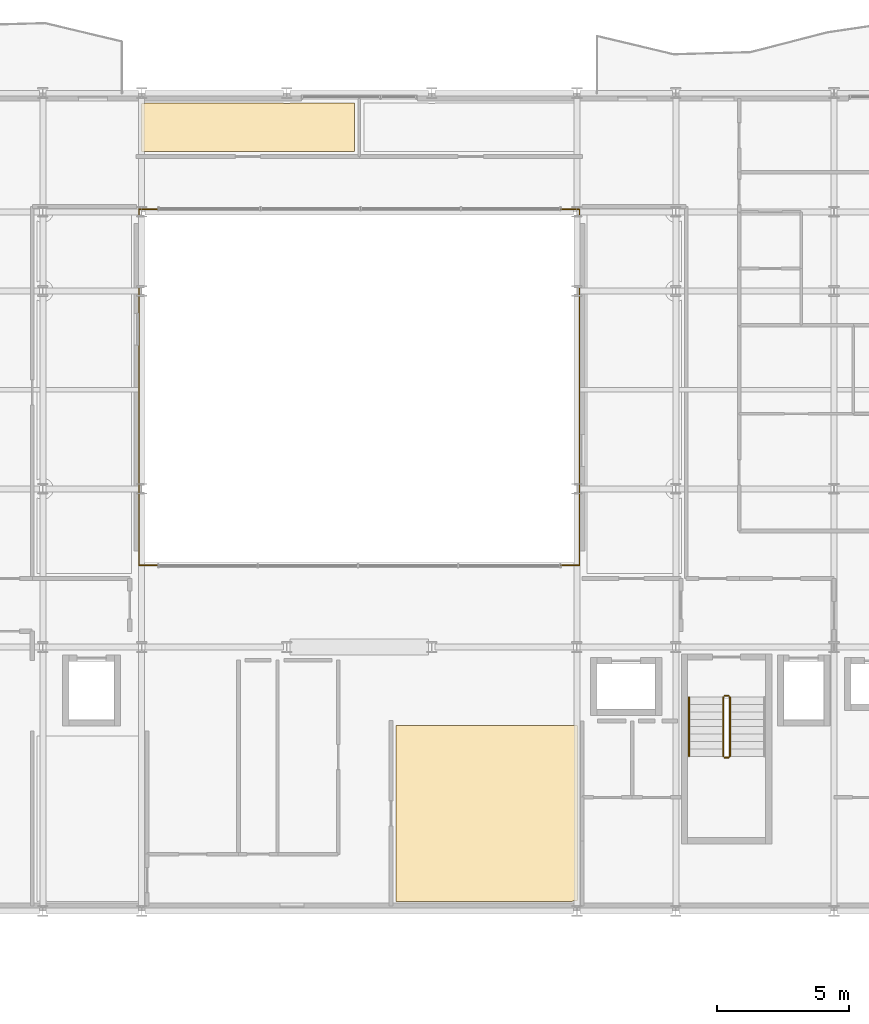
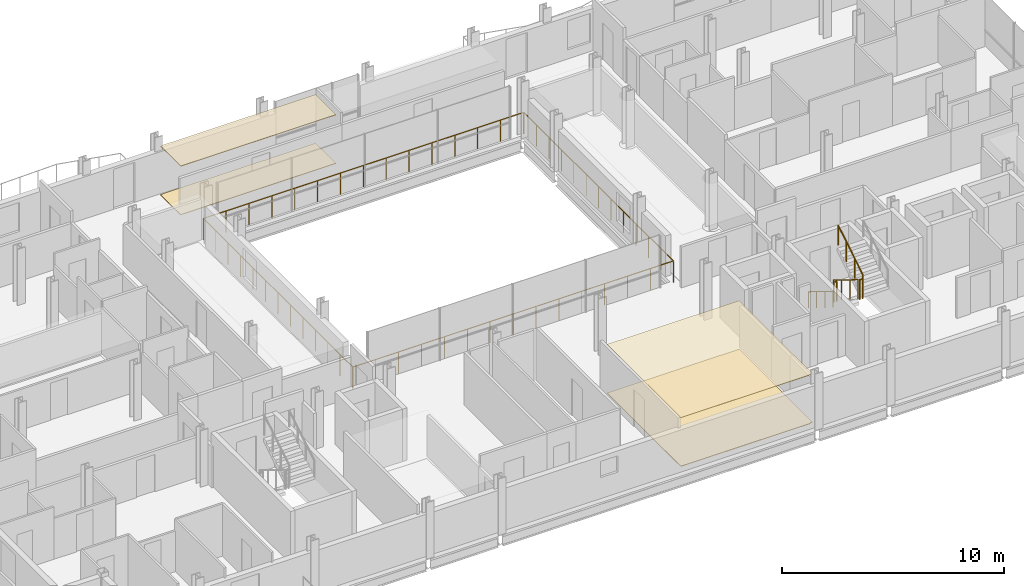
# One storey, part 40 of 41: 7 railings, 4 coverings.
"""IFC4 building model written with IfcOpenShell, lengths in metres."""

from ifc_helpers import new_model, si_unit, direction, frame, origin, origin_2d, place, context, subcontext, project, spatial, polyline, circle, outline, extrude, material, layer, layer_set, type_object, element, save


model = new_model("IFC4")

# Units and contexts
model_context = context("Model", 3, precision=1e-05, world=origin(), true_north=direction((0.0, 1.0)))
body_context = subcontext(model_context, "Body", "Model", "MODEL_VIEW")
ifc_project = project(units=[si_unit("LENGTHUNIT", "METRE"), si_unit("AREAUNIT", "SQUARE_METRE"), si_unit("VOLUMEUNIT", "CUBIC_METRE"), si_unit("PLANEANGLEUNIT", "RADIAN"), si_unit("MASSUNIT", "GRAM", prefix="KILO")], contexts=[model_context])

# Site, building, storey
site_placement = place(None, origin())
site = spatial("IfcSite", under=ifc_project, at=site_placement, CompositionType="ELEMENT")
building_placement = place(site_placement, origin())
building = spatial("IfcBuilding", under=site, at=building_placement, Name="Brevholm Reach", CompositionType="ELEMENT")
storey_placement = place(building_placement, frame((0.0, 0.0, 157.300048828125)))
storey = spatial("IfcBuildingStorey", under=building, at=storey_placement, Name="L47", CompositionType="ELEMENT", Elevation=157.300048828125)

# Coverings
ifc_material_1 = material(Name="Moisture-Resistant Skimmed Gypsum Plasterboard Ceiling", Category="gypsum")
ifc_layer_1 = layer(ifc_material_1, 0.030029296875)
ifc_layer_set_1 = layer_set([ifc_layer_1], Name="Moisture-Resistant Skimmed Gypsum Plasterboard Ceiling")
covering_type_1 = type_object("IfcCoveringType", Name="COV-CLG-GYP", PredefinedType="CEILING", material=ifc_layer_set_1)
covering_1_placement = place(storey_placement, frame((0.0, 0.0, 2.679931640625)))
element("IfcCovering", 1, at=covering_1_placement, inside=storey, type_object=covering_type_1, Name="L47 Suspended Ceiling L47-13", PredefinedType="CEILING", context=body_context, shape_type="SweptSolid", body=[
    extrude(outline(polyline([(38.27001953125, 7.02001953125), (38.27001953125, 0.39892578125), (38.25, 0.39990234375), (38.210693359375, 0.398193359375), (38.172119140625, 0.392333984375), (38.1337890625, 0.3828125), (38.096923828125, 0.36962890625), (38.07666015625, 0.360107421875), (31.384033203125, 0.360107421875), (31.384033203125, 7.02001953125), (38.27001953125, 7.02001953125)])), origin(), (0.0, 0.0, 1.0), 0.030029296875),
])
covering_2_placement = place(storey_placement, frame((0.0, 0.0, 2.679931640625)))
element("IfcCovering", 2, at=covering_2_placement, inside=storey, type_object=covering_type_1, Name="L47 Suspended Ceiling L47-66", PredefinedType="CEILING", context=body_context, shape_type="SweptSolid", body=[
    extrude(outline(polyline([(27.126220703125, 30.6201171875), (27.1337890625, 30.6171875), (27.172119140625, 30.607666015625), (27.210693359375, 30.601806640625), (27.25, 30.60009765625), (27.289306640625, 30.601806640625), (27.327880859375, 30.607666015625), (27.3662109375, 30.6171875), (27.373779296875, 30.6201171875), (29.820068359375, 30.6201171875), (29.820068359375, 28.783935546875), (21.73388671875, 28.783935546875), (21.73388671875, 30.600830078125), (21.75, 30.60009765625), (21.789306640625, 30.601806640625), (21.827880859375, 30.607666015625), (21.8662109375, 30.6171875), (21.873779296875, 30.6201171875), (27.126220703125, 30.6201171875)])), origin(), (0.0, 0.0, 1.0), 0.030029296875),
])
ifc_material_2 = material(Name="Honed Portland-Aggregate Resin Terrazzo Flooring", Category="concrete")
ifc_layer_2 = layer(ifc_material_2, 0.031982421875)
ifc_layer_set_2 = layer_set([ifc_layer_2], Name="Honed Portland-Aggregate Resin Terrazzo Flooring")
covering_type_2 = type_object("IfcCoveringType", Name="COV-FLR-TRZ", PredefinedType="FLOORING", material=ifc_layer_set_2)
covering_3_placement = place(storey_placement, origin())
element("IfcCovering", 3, at=covering_3_placement, inside=storey, type_object=covering_type_2, Name="L47 Floor Finish L47-13", PredefinedType="FLOORING", context=body_context, shape_type="SweptSolid", body=[
    extrude(outline(polyline([(38.27001953125, 7.02001953125), (38.27001953125, 0.39892578125), (38.25, 0.39990234375), (38.210693359375, 0.398193359375), (38.172119140625, 0.392333984375), (38.1337890625, 0.3828125), (38.096923828125, 0.36962890625), (38.07666015625, 0.360107421875), (31.384033203125, 0.360107421875), (31.384033203125, 7.02001953125), (38.27001953125, 7.02001953125)])), origin(), (0.0, 0.0, 1.0), 0.031982421875),
])
covering_4_placement = place(storey_placement, origin())
element("IfcCovering", 4, at=covering_4_placement, inside=storey, type_object=covering_type_2, Name="L47 Floor Finish L47-66", PredefinedType="FLOORING", context=body_context, shape_type="SweptSolid", body=[
    extrude(outline(polyline([(27.126220703125, 30.6201171875), (27.1337890625, 30.6171875), (27.172119140625, 30.607666015625), (27.210693359375, 30.601806640625), (27.25, 30.60009765625), (27.289306640625, 30.601806640625), (27.327880859375, 30.607666015625), (27.3662109375, 30.6171875), (27.373779296875, 30.6201171875), (29.820068359375, 30.6201171875), (29.820068359375, 28.783935546875), (21.73388671875, 28.783935546875), (21.73388671875, 30.600830078125), (21.75, 30.60009765625), (21.789306640625, 30.601806640625), (21.827880859375, 30.607666015625), (21.8662109375, 30.6171875), (21.873779296875, 30.6201171875), (27.126220703125, 30.6201171875)])), origin(), (0.0, 0.0, 1.0), 0.031982421875),
])

# Railings
ifc_material_3 = material(Name="Brushed Stainless Steel EN 1.4401 Continuous Handrail", Category="steel")
railing_type_1 = type_object("IfcRailingType", Name="RAL-HND-950", PredefinedType="HANDRAIL", material=ifc_material_3)
railing_1_placement = place(storey_placement, frame((42.5, 8.10009765625, 0.172119140625)))
element("IfcRailing", 5, at=railing_1_placement, inside=storey, type_object=railing_type_1, Name="L47 ST-2 stair handrail 1", PredefinedType="HANDRAIL", context=body_context, shape_type="SweptSolid", body=[
    extrude(circle(Radius=0.02392578125, at=origin_2d()), frame((0.0, 0.0, 0.8857421875), z_axis=(0.0, -0.851747552033, 0.523952390591), x_axis=(1.0, 0.0, 0.0)), (0.0, 0.0, 1.0), 2.6298828125),
    extrude(circle(Radius=0.02099609375, at=origin_2d()), origin(), (0.0, 0.0, 1.0), 0.86181640625),
    extrude(circle(Radius=0.02099609375, at=origin_2d()), frame((0.0, -0.74658203125, 0.459228515625)), (0.0, 0.0, 1.0), 0.86181640625),
    extrude(circle(Radius=0.02099609375, at=origin_2d()), frame((0.0, -1.493408203125, 0.918701171875)), (0.0, 0.0, 1.0), 0.86181640625),
    extrude(circle(Radius=0.02099609375, at=origin_2d()), frame((0.0, -2.239990234375, 1.3779296875)), (0.0, 0.0, 1.0), 0.86181640625),
])
ifc_material_4 = material(Name="Painted Tubular Galvanised Steel S275JR Stair Guard", Category="steel")
railing_type_2 = type_object("IfcRailingType", Name="RAL-STG-1120", PredefinedType="BALUSTRADE", material=ifc_material_4)
railing_2_placement = place(storey_placement, frame((43.800048828125, 8.10009765625, 0.172119140625)))
element("IfcRailing", 6, at=railing_2_placement, inside=storey, type_object=railing_type_2, Name="L47 ST-2 stair guard 1", PredefinedType="BALUSTRADE", context=body_context, shape_type="SweptSolid", body=[
    extrude(circle(Radius=0.02392578125, at=origin_2d()), frame((0.0, 0.0, 1.076171875), z_axis=(0.0, -0.851747552033, 0.523952390591), x_axis=(1.0, 0.0, 0.0)), (0.0, 0.0, 1.0), 2.6298828125),
    extrude(circle(Radius=0.02099609375, at=origin_2d()), origin(), (0.0, 0.0, 1.0), 1.052001953125),
    extrude(circle(Radius=0.02099609375, at=origin_2d()), frame((0.0, -0.74658203125, 0.459228515625)), (0.0, 0.0, 1.0), 1.052001953125),
    extrude(circle(Radius=0.02099609375, at=origin_2d()), frame((0.0, -1.493408203125, 0.918701171875)), (0.0, 0.0, 1.0), 1.052001953125),
    extrude(circle(Radius=0.02099609375, at=origin_2d()), frame((0.0, -2.239990234375, 1.3779296875)), (0.0, 0.0, 1.0), 1.052001953125),
])
railing_3_placement = place(storey_placement, frame((43.85009765625, 5.81005859375, 1.550048828125)))
element("IfcRailing", 7, at=railing_3_placement, inside=storey, type_object=railing_type_2, Name="L47 ST-2 stair guard 2", PredefinedType="BALUSTRADE", context=body_context, shape_type="SweptSolid", body=[
    extrude(circle(Radius=0.02392578125, at=origin_2d()), frame((0.0, 0.0, 1.076171875), z_axis=(1.0, 0.0, 0.0), x_axis=(0.0, 1.0, 0.0)), (0.0, 0.0, 1.0), 0.14990234375),
    extrude(circle(Radius=0.02099609375, at=origin_2d()), origin(), (0.0, 0.0, 1.0), 1.052001953125),
    extrude(circle(Radius=0.02099609375, at=origin_2d()), frame((0.14990234375, 0.0, 0.0)), (0.0, 0.0, 1.0), 1.052001953125),
])
railing_4_placement = place(storey_placement, frame((44.050048828125, 5.860107421875, 1.72216796875)))
element("IfcRailing", 8, at=railing_4_placement, inside=storey, type_object=railing_type_2, Name="L47 ST-2 stair guard 3", PredefinedType="BALUSTRADE", context=body_context, shape_type="SweptSolid", body=[
    extrude(circle(Radius=0.02392578125, at=origin_2d()), frame((0.0, 0.0, 1.076171875), z_axis=(0.0, 0.85178898068, 0.523885037382), x_axis=(-1.0, 0.0, 0.0)), (0.0, 0.0, 1.0), 2.629638671875),
    extrude(circle(Radius=0.02099609375, at=origin_2d()), origin(), (0.0, 0.0, 1.0), 1.052001953125),
    extrude(circle(Radius=0.02099609375, at=origin_2d()), frame((0.0, 0.74658203125, 0.459228515625)), (0.0, 0.0, 1.0), 1.052001953125),
    extrude(circle(Radius=0.02099609375, at=origin_2d()), frame((0.0, 1.493408203125, 0.91845703125)), (0.0, 0.0, 1.0), 1.052001953125),
    extrude(circle(Radius=0.02099609375, at=origin_2d()), frame((0.0, 2.239990234375, 1.377685546875)), (0.0, 0.0, 1.0), 1.052001953125),
])
railing_5_placement = place(storey_placement, frame((43.85009765625, 8.14990234375, 0.0)))
element("IfcRailing", 9, at=railing_5_placement, inside=storey, type_object=railing_type_2, Name="L47 ST-2 stair guard 4", PredefinedType="BALUSTRADE", context=body_context, shape_type="SweptSolid", body=[
    extrude(circle(Radius=0.02392578125, at=origin_2d()), frame((0.0, 0.0, 1.076171875), z_axis=(1.0, 0.0, 0.0), x_axis=(0.0, 1.0, 0.0)), (0.0, 0.0, 1.0), 0.14990234375),
    extrude(circle(Radius=0.02099609375, at=origin_2d()), origin(), (0.0, 0.0, 1.0), 1.052001953125),
    extrude(circle(Radius=0.02099609375, at=origin_2d()), frame((0.14990234375, 0.0, 0.0)), (0.0, 0.0, 1.0), 1.052001953125),
])
ifc_material_5 = material(Name="Brushed Stainless Steel EN 1.4401 and Laminated Glass", Category="steel")
railing_type_3 = type_object("IfcRailingType", Name="RAL-TERR-1200", PredefinedType="BALUSTRADE", material=ifc_material_5)
railing_6_placement = place(storey_placement, frame((21.64990234375, 13.10009765625, 0.0)))
element("IfcRailing", 10, at=railing_6_placement, inside=storey, type_object=railing_type_3, Name="L47 Guard Balustrade RAL-L47-AT-VOID-SW", PredefinedType="BALUSTRADE", context=body_context, shape_type="SweptSolid", body=[
    extrude(circle(Radius=0.02392578125, at=origin_2d()), frame((0.0, 0.0, 1.17578125), z_axis=(1.0, 0.0, 0.0), x_axis=(0.0, 1.0, 0.0)), (0.0, 0.0, 1.0), 16.7001953125),
    extrude(circle(Radius=0.02392578125, at=origin_2d()), frame((16.7001953125, 0.0, 1.17578125), z_axis=(0.0, 1.0, 0.0), x_axis=(-1.0, 0.0, 0.0)), (0.0, 0.0, 1.0), 13.47998046875),
    extrude(circle(Radius=0.02099609375, at=origin_2d()), origin(), (0.0, 0.0, 1.0), 1.15185546875),
    extrude(circle(Radius=0.02099609375, at=origin_2d()), frame((1.19287109375, 0.0, 0.0)), (0.0, 0.0, 1.0), 1.15185546875),
    extrude(circle(Radius=0.02099609375, at=origin_2d()), frame((2.3857421875, 0.0, 0.0)), (0.0, 0.0, 1.0), 1.15185546875),
    extrude(circle(Radius=0.02099609375, at=origin_2d()), frame((3.57861328125, 0.0, 0.0)), (0.0, 0.0, 1.0), 1.15185546875),
    extrude(circle(Radius=0.02099609375, at=origin_2d()), frame((4.771484375, 0.0, 0.0)), (0.0, 0.0, 1.0), 1.15185546875),
    extrude(circle(Radius=0.02099609375, at=origin_2d()), frame((5.96435546875, 0.0, 0.0)), (0.0, 0.0, 1.0), 1.15185546875),
    extrude(circle(Radius=0.02099609375, at=origin_2d()), frame((7.1572265625, 0.0, 0.0)), (0.0, 0.0, 1.0), 1.15185546875),
    extrude(circle(Radius=0.02099609375, at=origin_2d()), frame((8.35009765625, 0.0, 0.0)), (0.0, 0.0, 1.0), 1.15185546875),
    extrude(circle(Radius=0.02099609375, at=origin_2d()), frame((9.54296875, 0.0, 0.0)), (0.0, 0.0, 1.0), 1.15185546875),
    extrude(circle(Radius=0.02099609375, at=origin_2d()), frame((10.73583984375, 0.0, 0.0)), (0.0, 0.0, 1.0), 1.15185546875),
    extrude(circle(Radius=0.02099609375, at=origin_2d()), frame((11.9287109375, 0.0, 0.0)), (0.0, 0.0, 1.0), 1.15185546875),
    extrude(circle(Radius=0.02099609375, at=origin_2d()), frame((13.12158203125, 0.0, 0.0)), (0.0, 0.0, 1.0), 1.15185546875),
    extrude(circle(Radius=0.02099609375, at=origin_2d()), frame((14.314453125, 0.0, 0.0)), (0.0, 0.0, 1.0), 1.15185546875),
    extrude(circle(Radius=0.02099609375, at=origin_2d()), frame((15.50732421875, 0.0, 0.0)), (0.0, 0.0, 1.0), 1.15185546875),
    extrude(circle(Radius=0.02099609375, at=origin_2d()), frame((16.7001953125, 0.0, 0.0)), (0.0, 0.0, 1.0), 1.15185546875),
    extrude(circle(Radius=0.02099609375, at=origin_2d()), frame((16.7001953125, 1.123291015625, 0.0)), (0.0, 0.0, 1.0), 1.15185546875),
    extrude(circle(Radius=0.02099609375, at=origin_2d()), frame((16.7001953125, 2.24658203125, 0.0)), (0.0, 0.0, 1.0), 1.15185546875),
    extrude(circle(Radius=0.02099609375, at=origin_2d()), frame((16.7001953125, 3.3701171875, 0.0)), (0.0, 0.0, 1.0), 1.15185546875),
    extrude(circle(Radius=0.02099609375, at=origin_2d()), frame((16.7001953125, 4.493408203125, 0.0)), (0.0, 0.0, 1.0), 1.15185546875),
    extrude(circle(Radius=0.02099609375, at=origin_2d()), frame((16.7001953125, 5.61669921875, 0.0)), (0.0, 0.0, 1.0), 1.15185546875),
    extrude(circle(Radius=0.02099609375, at=origin_2d()), frame((16.7001953125, 6.739990234375, 0.0)), (0.0, 0.0, 1.0), 1.15185546875),
    extrude(circle(Radius=0.02099609375, at=origin_2d()), frame((16.7001953125, 7.86328125, 0.0)), (0.0, 0.0, 1.0), 1.15185546875),
    extrude(circle(Radius=0.02099609375, at=origin_2d()), frame((16.7001953125, 8.986572265625, 0.0)), (0.0, 0.0, 1.0), 1.15185546875),
    extrude(circle(Radius=0.02099609375, at=origin_2d()), frame((16.7001953125, 10.10986328125, 0.0)), (0.0, 0.0, 1.0), 1.15185546875),
    extrude(circle(Radius=0.02099609375, at=origin_2d()), frame((16.7001953125, 11.2333984375, 0.0)), (0.0, 0.0, 1.0), 1.15185546875),
    extrude(circle(Radius=0.02099609375, at=origin_2d()), frame((16.7001953125, 12.356689453125, 0.0)), (0.0, 0.0, 1.0), 1.15185546875),
    extrude(circle(Radius=0.02099609375, at=origin_2d()), frame((16.7001953125, 13.47998046875, 0.0)), (0.0, 0.0, 1.0), 1.15185546875),
])
railing_7_placement = place(storey_placement, frame((38.330078125, 26.60009765625, 0.0)))
element("IfcRailing", 11, at=railing_7_placement, inside=storey, type_object=railing_type_3, Name="L47 Guard Balustrade RAL-L47-AT-VOID-NE", PredefinedType="BALUSTRADE", context=body_context, shape_type="SweptSolid", body=[
    extrude(circle(Radius=0.02392578125, at=origin_2d()), frame((0.0, 0.0, 1.17578125), z_axis=(-1.0, 0.0, 0.0), x_axis=(0.0, -1.0, 0.0)), (0.0, 0.0, 1.0), 16.68017578125),
    extrude(circle(Radius=0.02392578125, at=origin_2d()), frame((-16.68017578125, 0.0, 1.17578125), z_axis=(0.0, -1.0, 0.0), x_axis=(1.0, 0.0, 0.0)), (0.0, 0.0, 1.0), 13.47998046875),
    extrude(circle(Radius=0.02099609375, at=origin_2d()), origin(), (0.0, 0.0, 1.0), 1.15185546875),
    extrude(circle(Radius=0.02099609375, at=origin_2d()), frame((-1.19140625, 0.0, 0.0)), (0.0, 0.0, 1.0), 1.15185546875),
    extrude(circle(Radius=0.02099609375, at=origin_2d()), frame((-2.3828125, 0.0, 0.0)), (0.0, 0.0, 1.0), 1.15185546875),
    extrude(circle(Radius=0.02099609375, at=origin_2d()), frame((-3.57421875, 0.0, 0.0)), (0.0, 0.0, 1.0), 1.15185546875),
    extrude(circle(Radius=0.02099609375, at=origin_2d()), frame((-4.765869140625, 0.0, 0.0)), (0.0, 0.0, 1.0), 1.15185546875),
    extrude(circle(Radius=0.02099609375, at=origin_2d()), frame((-5.957275390625, 0.0, 0.0)), (0.0, 0.0, 1.0), 1.15185546875),
    extrude(circle(Radius=0.02099609375, at=origin_2d()), frame((-7.148681640625, 0.0, 0.0)), (0.0, 0.0, 1.0), 1.15185546875),
    extrude(circle(Radius=0.02099609375, at=origin_2d()), frame((-8.340087890625, 0.0, 0.0)), (0.0, 0.0, 1.0), 1.15185546875),
    extrude(circle(Radius=0.02099609375, at=origin_2d()), frame((-9.531494140625, 0.0, 0.0)), (0.0, 0.0, 1.0), 1.15185546875),
    extrude(circle(Radius=0.02099609375, at=origin_2d()), frame((-10.722900390625, 0.0, 0.0)), (0.0, 0.0, 1.0), 1.15185546875),
    extrude(circle(Radius=0.02099609375, at=origin_2d()), frame((-11.914306640625, 0.0, 0.0)), (0.0, 0.0, 1.0), 1.15185546875),
    extrude(circle(Radius=0.02099609375, at=origin_2d()), frame((-13.10595703125, 0.0, 0.0)), (0.0, 0.0, 1.0), 1.15185546875),
    extrude(circle(Radius=0.02099609375, at=origin_2d()), frame((-14.29736328125, 0.0, 0.0)), (0.0, 0.0, 1.0), 1.15185546875),
    extrude(circle(Radius=0.02099609375, at=origin_2d()), frame((-15.48876953125, 0.0, 0.0)), (0.0, 0.0, 1.0), 1.15185546875),
    extrude(circle(Radius=0.02099609375, at=origin_2d()), frame((-16.68017578125, 0.0, 0.0)), (0.0, 0.0, 1.0), 1.15185546875),
    extrude(circle(Radius=0.02099609375, at=origin_2d()), frame((-16.68017578125, -1.123291015625, 0.0)), (0.0, 0.0, 1.0), 1.15185546875),
    extrude(circle(Radius=0.02099609375, at=origin_2d()), frame((-16.68017578125, -2.24658203125, 0.0)), (0.0, 0.0, 1.0), 1.15185546875),
    extrude(circle(Radius=0.02099609375, at=origin_2d()), frame((-16.68017578125, -3.3701171875, 0.0)), (0.0, 0.0, 1.0), 1.15185546875),
    extrude(circle(Radius=0.02099609375, at=origin_2d()), frame((-16.68017578125, -4.493408203125, 0.0)), (0.0, 0.0, 1.0), 1.15185546875),
    extrude(circle(Radius=0.02099609375, at=origin_2d()), frame((-16.68017578125, -5.61669921875, 0.0)), (0.0, 0.0, 1.0), 1.15185546875),
    extrude(circle(Radius=0.02099609375, at=origin_2d()), frame((-16.68017578125, -6.739990234375, 0.0)), (0.0, 0.0, 1.0), 1.15185546875),
    extrude(circle(Radius=0.02099609375, at=origin_2d()), frame((-16.68017578125, -7.86328125, 0.0)), (0.0, 0.0, 1.0), 1.15185546875),
    extrude(circle(Radius=0.02099609375, at=origin_2d()), frame((-16.68017578125, -8.986572265625, 0.0)), (0.0, 0.0, 1.0), 1.15185546875),
    extrude(circle(Radius=0.02099609375, at=origin_2d()), frame((-16.68017578125, -10.10986328125, 0.0)), (0.0, 0.0, 1.0), 1.15185546875),
    extrude(circle(Radius=0.02099609375, at=origin_2d()), frame((-16.68017578125, -11.2333984375, 0.0)), (0.0, 0.0, 1.0), 1.15185546875),
    extrude(circle(Radius=0.02099609375, at=origin_2d()), frame((-16.68017578125, -12.356689453125, 0.0)), (0.0, 0.0, 1.0), 1.15185546875),
    extrude(circle(Radius=0.02099609375, at=origin_2d()), frame((-16.68017578125, -13.47998046875, 0.0)), (0.0, 0.0, 1.0), 1.15185546875),
])

save(model, "model.ifc")
